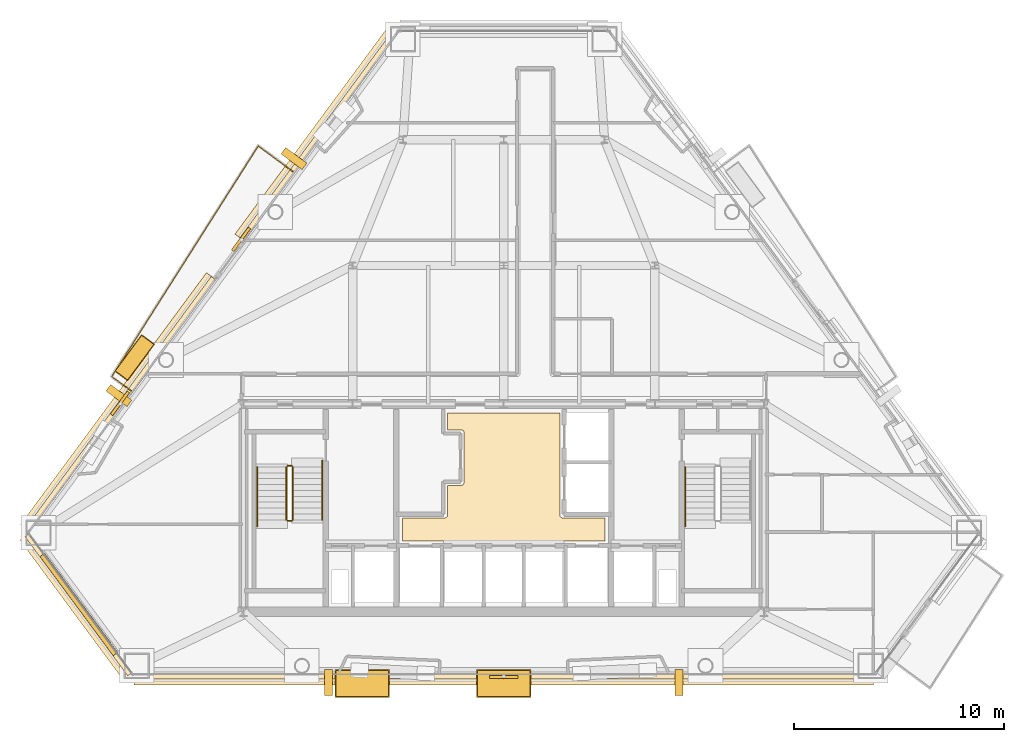
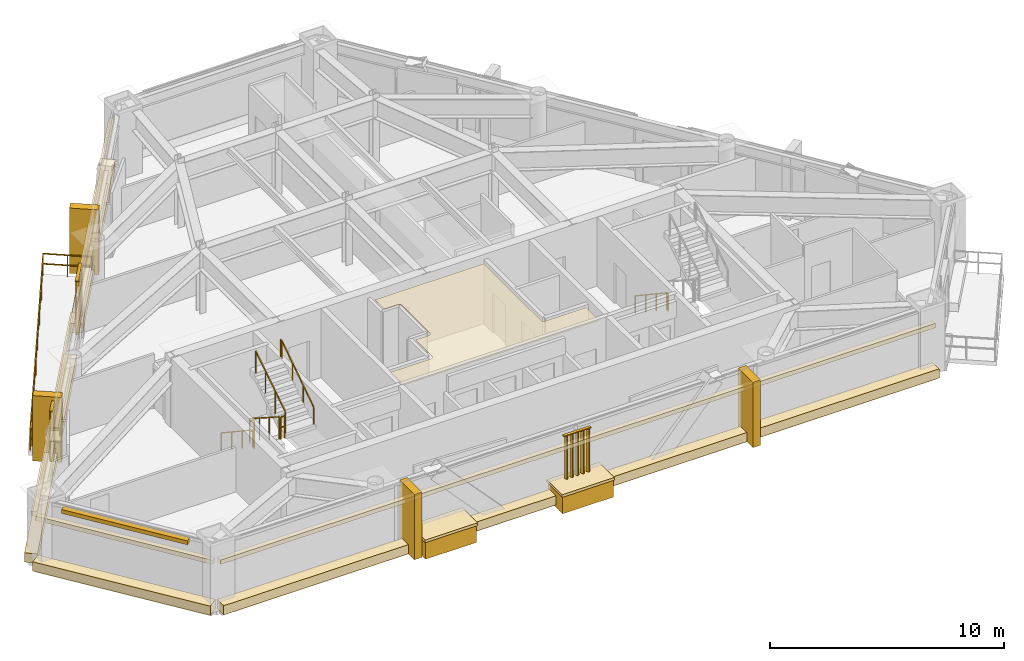
# One storey, part 10 of 11: 19 coverings, 8 railings, 4 shading devices.
"""IFC4 building model written with IfcOpenShell, lengths in metres."""

from ifc_helpers import new_model, si_unit, direction, frame, origin, origin_2d, place, context, subcontext, project, spatial, polyline, rectangle, outline, extrude, source, transform, mapped, material, layer, layer_set, type_object, type_shapes, element, save


model = new_model("IFC4")

# Units and contexts
model_context = context("Model", 3, precision=1e-05, world=origin(), true_north=direction((0.0, 1.0)))
body_context = subcontext(model_context, "Body", "Model", "MODEL_VIEW")
ifc_project = project(units=[si_unit("LENGTHUNIT", "METRE"), si_unit("AREAUNIT", "SQUARE_METRE"), si_unit("VOLUMEUNIT", "CUBIC_METRE"), si_unit("PLANEANGLEUNIT", "RADIAN"), si_unit("MASSUNIT", "GRAM", prefix="KILO")], contexts=[model_context])

# Site, building, storey
site_placement = place(None, origin())
site = spatial("IfcSite", under=ifc_project, at=site_placement, CompositionType="ELEMENT")
building_placement = place(site_placement, origin())
building = spatial("IfcBuilding", under=site, at=building_placement, Name="Talgorran Terracotta Tower", CompositionType="ELEMENT")
storey_placement = place(building_placement, frame((0.0, 0.0, 154.5)))
storey = spatial("IfcBuildingStorey", under=building, at=storey_placement, Name="L40", CompositionType="ELEMENT", Elevation=154.5)

# Coverings
ifc_material_1 = material(Name="Kiln-Fired Terracotta Ochre Ceramic", Category="masonry")
ifc_layer_1 = layer(ifc_material_1, 0.179931640625, Name="COV_BAGUETTE_TERRACOTTA_SCREEN")
ifc_layer_set_1 = layer_set([ifc_layer_1], Name="Kiln-Fired Terracotta Ochre Ceramic")
covering_type_1 = type_object("IfcCoveringType", Name="COV_BAGUETTE_TERRACOTTA_SCREEN", PredefinedType="CLADDING", material=ifc_layer_set_1)
covering_1_placement = place(storey_placement, frame((-20.255859375, -13.76220703125, 2.41015625), z_axis=(0.0, 0.0, 1.0), x_axis=(0.594078945078, -0.804406742274, 0.0)))
element("IfcCovering", 1, at=covering_1_placement, inside=storey, type_object=covering_type_1, Name="L40 Terracotta Baguette Solar Screen Assembly F0", PredefinedType="CLADDING", context=body_context, shape_type="SweptSolid", body=[
    extrude(rectangle(XDim=8.242919921875, YDim=0.260009765625, at=origin_2d()), origin(), (0.0, 0.0, 1.0), 0.219970703125),
])
covering_2_placement = place(storey_placement, frame((0.0, -17.17431640625, 2.41015625), z_axis=(0.0, 0.0, 1.0), x_axis=(1.0, 0.0, 0.0)))
element("IfcCovering", 2, at=covering_2_placement, inside=storey, type_object=covering_type_1, Name="L40 Terracotta Baguette Solar Screen Assembly F1", PredefinedType="CLADDING", context=body_context, shape_type="SweptSolid", body=[
    extrude(rectangle(XDim=35.230712890625, YDim=0.260009765625, at=origin_2d()), origin(), (0.0, 0.0, 1.0), 0.219970703125),
])
covering_3_placement = place(storey_placement, frame((-8.80810546875, 8.600830078125, 2.41015625), z_axis=(0.0, 0.0, 1.0), x_axis=(-0.594078945078, -0.804406742274, 0.0)))
element("IfcCovering", 3, at=covering_3_placement, inside=storey, type_object=covering_type_1, Name="L40 Terracotta Baguette Solar Screen Assembly F60", PredefinedType="CLADDING", context=body_context, shape_type="SweptSolid", body=[
    extrude(rectangle(XDim=12.30224609375, YDim=0.260009765625, at=origin_2d()), origin(), (0.0, 0.0, 1.0), 0.219970703125),
])
covering_4_placement = place(storey_placement, frame((-18.254638671875, -4.190185546875, 2.41015625), z_axis=(0.0, 0.0, 1.0), x_axis=(-0.594078945078, -0.804406742274, 0.0)))
element("IfcCovering", 4, at=covering_4_placement, inside=storey, type_object=covering_type_1, Name="L40 Terracotta Baguette Solar Screen Assembly F61", PredefinedType="CLADDING", context=body_context, shape_type="SweptSolid", body=[
    extrude(rectangle(XDim=14.900146484375, YDim=0.260009765625, at=origin_2d()), origin(), (0.0, 0.0, 1.0), 0.219970703125),
])
ifc_material_2 = material(Name="Flush Moisture-Resistant Plaster")
ifc_layer_2 = layer(ifc_material_2, 0.01806640625, Name="COV_CEIL_PLASTER")
ifc_layer_set_2 = layer_set([ifc_layer_2], Name="Flush Moisture-Resistant Plaster")
covering_type_2 = type_object("IfcCoveringType", Name="COV_CEIL_PLASTER", PredefinedType="CEILING", material=ifc_layer_set_2)
covering_5_placement = place(storey_placement, frame((0.0, 0.0, 3.260009765625)))
element("IfcCovering", 5, at=covering_5_placement, inside=storey, type_object=covering_type_2, Name="CEIL-L40-1", PredefinedType="CEILING", context=body_context, shape_type="SweptSolid", body=[
    extrude(outline(polyline([(2.679931640625, -4.6201171875), (2.679931640625, -9.5), (2.6806640625, -9.51171875), (2.682373046875, -9.5234375), (2.685302734375, -9.534912109375), (2.689208984375, -9.5458984375), (2.694091796875, -9.556640625), (2.7001953125, -9.566650390625), (2.707275390625, -9.576171875), (2.715087890625, -9.5849609375), (2.723876953125, -9.5927734375), (2.7333984375, -9.599853515625), (2.743408203125, -9.605712890625), (2.754150390625, -9.61083984375), (2.76513671875, -9.61474609375), (2.776611328125, -9.61767578125), (2.7880859375, -9.619384765625), (2.800048828125, -9.6201171875), (4.830078125, -9.6201171875), (4.830078125, -10.72998046875), (-4.830078125, -10.72998046875), (-4.830078125, -9.6201171875), (-2.800048828125, -9.6201171875), (-2.7880859375, -9.619384765625), (-2.776611328125, -9.61767578125), (-2.76513671875, -9.61474609375), (-2.754150390625, -9.61083984375), (-2.743408203125, -9.605712890625), (-2.7333984375, -9.599853515625), (-2.723876953125, -9.5927734375), (-2.715087890625, -9.5849609375), (-2.707275390625, -9.576171875), (-2.7001953125, -9.566650390625), (-2.694091796875, -9.556640625), (-2.689208984375, -9.5458984375), (-2.685302734375, -9.534912109375), (-2.682373046875, -9.5234375), (-2.6806640625, -9.51171875), (-2.679931640625, -9.5), (-2.679931640625, -8.070068359375), (-2.02001953125, -8.070068359375), (-2.00830078125, -8.0693359375), (-1.99658203125, -8.067626953125), (-1.985107421875, -8.064697265625), (-1.97412109375, -8.060791015625), (-1.96337890625, -8.055908203125), (-1.953369140625, -8.0498046875), (-1.94384765625, -8.042724609375), (-1.93505859375, -8.034912109375), (-1.92724609375, -8.026123046875), (-1.920166015625, -8.0166015625), (-1.914306640625, -8.006591796875), (-1.9091796875, -7.995849609375), (-1.9052734375, -7.98486328125), (-1.90234375, -7.973388671875), (-1.900634765625, -7.9619140625), (-1.89990234375, -7.949951171875), (-1.89990234375, -5.550048828125), (-1.900634765625, -5.5380859375), (-1.90234375, -5.526611328125), (-1.9052734375, -5.51513671875), (-1.9091796875, -5.504150390625), (-1.914306640625, -5.493408203125), (-1.920166015625, -5.4833984375), (-1.92724609375, -5.473876953125), (-1.93505859375, -5.465087890625), (-1.94384765625, -5.457275390625), (-1.953369140625, -5.4501953125), (-1.96337890625, -5.444091796875), (-1.97412109375, -5.439208984375), (-1.985107421875, -5.435302734375), (-1.99658203125, -5.432373046875), (-2.00830078125, -5.4306640625), (-2.02001953125, -5.429931640625), (-2.679931640625, -5.429931640625), (-2.679931640625, -4.6201171875), (2.679931640625, -4.6201171875)])), origin(), (0.0, 0.0, 1.0), 0.02001953125),
])
ifc_material_3 = material(Name="Honed Limestone and Terracotta Planter", Category="masonry")
ifc_layer_3 = layer(ifc_material_3, 0.1201171875, Name="COV_PLANTER_BOX")
ifc_layer_set_3 = layer_set([ifc_layer_3], Name="Honed Limestone and Terracotta Planter")
covering_type_3 = type_object("IfcCoveringType", Name="COV_PLANTER_BOX", PredefinedType="CLADDING", material=ifc_layer_set_3)
for number, where, z_axis, x_axis, name in (
    (6, (-6.743408203125, -17.514404296875, -0.179931640625), (0.0, 0.0, 1.0), (1.0, 0.0, 0.0), "L40 Staggered South Facade Planter Box 1"),
    (7, (0.0, -17.514404296875, -0.179931640625), (0.0, 0.0, 1.0), (1.0, 0.0, 0.0), "L40 Staggered South Facade Planter Box 2"),
):
    element("IfcCovering", number, at=place(storey_placement, frame(where, z_axis=z_axis, x_axis=x_axis)), inside=storey, type_object=covering_type_3, Name=name, PredefinedType="CLADDING", context=body_context, shape_type="SweptSolid", body=[
        extrude(rectangle(XDim=2.5, YDim=1.25, at=origin_2d()), origin(), (0.0, 0.0, 1.0), 0.919921875),
    ])
covering_6_placement = place(storey_placement, frame((-17.587646484375, -1.9912109375, -0.02001953125), z_axis=(0.0, 0.0, 1.0), x_axis=(-0.594078945078, -0.804406742274, 0.0)))
element("IfcCovering", 8, at=covering_6_placement, inside=storey, type_object=covering_type_3, Name="L40 Staggered Balcony Planter Box BAL-NW", PredefinedType="CLADDING", context=body_context, shape_type="SweptSolid", body=[
    extrude(rectangle(XDim=2.10009765625, YDim=0.719970703125, at=origin_2d()), origin(), (0.0, 0.0, 1.0), 0.860107421875),
])
ifc_material_4 = material(Name="Kiln-Fired Terracotta Planter Rim", Category="masonry")
ifc_layer_4 = layer(ifc_material_4, 0.10009765625, Name="COV_PLANTER_RIM")
ifc_layer_set_4 = layer_set([ifc_layer_4], Name="Kiln-Fired Terracotta Planter Rim")
covering_type_4 = type_object("IfcCoveringType", Name="COV_PLANTER_RIM", PredefinedType="CLADDING", material=ifc_layer_set_4)
for number, where, z_axis, x_axis, name in (
    (9, (-6.743408203125, -17.514404296875, 0.7099609375), (0.0, 0.0, 1.0), (1.0, 0.0, 0.0), "L40 South Planter Terracotta Rim 1"),
    (10, (0.0, -17.514404296875, 0.7099609375), (0.0, 0.0, 1.0), (1.0, 0.0, 0.0), "L40 South Planter Terracotta Rim 2"),
):
    element("IfcCovering", number, at=place(storey_placement, frame(where, z_axis=z_axis, x_axis=x_axis)), inside=storey, type_object=covering_type_4, Name=name, PredefinedType="CLADDING", context=body_context, shape_type="SweptSolid", body=[
        extrude(rectangle(XDim=2.580078125, YDim=1.320068359375, at=origin_2d()), origin(), (0.0, 0.0, 1.0), 0.139892578125),
    ])
covering_7_placement = place(storey_placement, frame((-17.587646484375, -1.9912109375, 0.800048828125), z_axis=(0.0, 0.0, 1.0), x_axis=(-0.594078945078, -0.804406742274, 0.0)))
element("IfcCovering", 11, at=covering_7_placement, inside=storey, type_object=covering_type_4, Name="L40 Balcony Planter Terracotta Rim BAL-NW", PredefinedType="CLADDING", context=body_context, shape_type="SweptSolid", body=[
    extrude(rectangle(XDim=2.179931640625, YDim=0.780029296875, at=origin_2d()), origin(), (0.0, 0.0, 1.0), 0.1201171875),
])
ifc_material_5 = material(Name="Honed Limestone Cladding", Category="masonry")
ifc_layer_5 = layer(ifc_material_5, 0.094970703125, Name="COV_PORTAL_LIME")
ifc_layer_set_5 = layer_set([ifc_layer_5], Name="Honed Limestone Cladding")
covering_type_5 = type_object("IfcCoveringType", Name="COV_PORTAL_LIME", PredefinedType="CLADDING", material=ifc_layer_set_5)
covering_8_placement = place(storey_placement, frame((-20.368408203125, -13.845458984375, -0.0400390625), z_axis=(0.0, 0.0, 1.0), x_axis=(0.594078945078, -0.804406742274, 0.0)))
element("IfcCovering", 12, at=covering_8_placement, inside=storey, type_object=covering_type_5, Name="L40 Striped Postmodern Portal Cladding Band F0", PredefinedType="CLADDING", context=body_context, shape_type="SweptSolid", body=[
    extrude(rectangle(XDim=8.2626953125, YDim=0.56005859375, at=origin_2d()), origin(), (0.0, 0.0, 1.0), 0.47998046875),
])
covering_9_placement = place(storey_placement, frame((0.0, -17.314453125, -0.0400390625), z_axis=(0.0, 0.0, 1.0), x_axis=(1.0, 0.0, 0.0)))
element("IfcCovering", 13, at=covering_9_placement, inside=storey, type_object=covering_type_5, Name="L40 Striped Postmodern Portal Cladding Band F1", PredefinedType="CLADDING", context=body_context, shape_type="SweptSolid", body=[
    extrude(rectangle(XDim=35.250732421875, YDim=0.56005859375, at=origin_2d()), origin(), (0.0, 0.0, 1.0), 0.47998046875),
])
covering_10_placement = place(storey_placement, frame((-8.920654296875, 8.683837890625, -0.0400390625), z_axis=(0.0, 0.0, 1.0), x_axis=(-0.594078945078, -0.804406742274, 0.0)))
element("IfcCovering", 14, at=covering_10_placement, inside=storey, type_object=covering_type_5, Name="L40 Striped Postmodern Portal Cladding Band F60", PredefinedType="CLADDING", context=body_context, shape_type="SweptSolid", body=[
    extrude(rectangle(XDim=12.322265625, YDim=0.56005859375, at=origin_2d()), origin(), (0.0, 0.0, 1.0), 0.47998046875),
])
covering_11_placement = place(storey_placement, frame((-18.3671875, -4.107177734375, -0.0400390625), z_axis=(0.0, 0.0, 1.0), x_axis=(-0.594078945078, -0.804406742274, 0.0)))
element("IfcCovering", 15, at=covering_11_placement, inside=storey, type_object=covering_type_5, Name="L40 Striped Postmodern Portal Cladding Band F61", PredefinedType="CLADDING", context=body_context, shape_type="SweptSolid", body=[
    extrude(rectangle(XDim=14.920166015625, YDim=0.56005859375, at=origin_2d()), origin(), (0.0, 0.0, 1.0), 0.47998046875),
])
for number, where, z_axis, x_axis, name in (
    (16, (8.340576171875, -17.474365234375, -0.050048828125), (0.0, 0.0, 1.0), (1.0, 0.0, 0.0), "L40 White Striped Portal Fin F1-2"),
    (17, (-18.337158203125, -3.797119140625, -0.050048828125), (0.0, 0.0, 1.0), (-0.594078945078, -0.804406742274, 0.0), "L40 White Striped Portal Fin F5-2"),
):
    element("IfcCovering", number, at=place(storey_placement, frame(where, z_axis=z_axis, x_axis=x_axis)), inside=storey, type_object=covering_type_5, Name=name, PredefinedType="CLADDING", context=body_context, shape_type="SweptSolid", body=[
        extrude(rectangle(XDim=0.3798828125, YDim=1.25, at=origin_2d()), origin(), (0.0, 0.0, 1.0), 3.39990234375),
    ])
ifc_material_6 = material(Name="Kiln-Fired Terracotta Cladding", Category="masonry")
ifc_layer_6 = layer(ifc_material_6, 0.090087890625, Name="COV_PORTAL_TERRA")
ifc_layer_set_6 = layer_set([ifc_layer_6], Name="Kiln-Fired Terracotta Cladding")
covering_type_6 = type_object("IfcCoveringType", Name="COV_PORTAL_TERRA", PredefinedType="CLADDING", material=ifc_layer_set_6)
for number, where, z_axis, x_axis, name in (
    (18, (-8.340576171875, -17.474365234375, -0.050048828125), (0.0, 0.0, 1.0), (1.0, 0.0, 0.0), "L40 Terracotta Striped Portal Fin F1-1"),
    (19, (-9.99658203125, 7.49658203125, -0.050048828125), (0.0, 0.0, 1.0), (-0.594078945078, -0.804406742274, 0.0), "L40 Terracotta Striped Portal Fin F5-1"),
):
    element("IfcCovering", number, at=place(storey_placement, frame(where, z_axis=z_axis, x_axis=x_axis)), inside=storey, type_object=covering_type_6, Name=name, PredefinedType="CLADDING", context=body_context, shape_type="SweptSolid", body=[
        extrude(rectangle(XDim=0.3798828125, YDim=1.25, at=origin_2d()), origin(), (0.0, 0.0, 1.0), 3.39990234375),
    ])

# Railings
ifc_material_7 = material(Name="Laminated Glass and Stainless Steel 316", Category="steel")
railing_type_1 = type_object("IfcRailingType", Name="RL_BALCONY_1150", PredefinedType="BALUSTRADE", material=ifc_material_7)
railing_1_placement = place(storey_placement, frame((-10.004638671875, 6.845947265625, 0.0)))
element("IfcRailing", 20, at=railing_1_placement, inside=storey, type_object=railing_type_1, Name="RL-L40-BAL-BAL-NW", PredefinedType="BALUSTRADE", context=body_context, shape_type="SweptSolid", body=[
    extrude(rectangle(XDim=0.048095703125, YDim=0.048095703125, at=origin_2d()), frame((0.0, 0.0, 1.1259765625), z_axis=(-0.804381194966, 0.594113535601, 0.0), x_axis=(-0.594113535601, -0.804381194966, 0.0)), (0.0, 0.0, 1.0), 2.102783203125),
    extrude(rectangle(XDim=0.048095703125, YDim=0.048095703125, at=origin_2d()), frame((0.0, 0.0, 0.597900390625), z_axis=(-0.804381194966, 0.594113535601, 0.0), x_axis=(-0.594113535601, -0.804381194966, 0.0)), (0.0, 0.0, 1.0), 2.102783203125),
    extrude(rectangle(XDim=0.048095703125, YDim=0.048095703125, at=origin_2d()), frame((-1.69140625, 1.249267578125, 1.1259765625), z_axis=(-0.536023202256, -0.844203249605, 0.0), x_axis=(0.844203249605, -0.536023202256, 0.0)), (0.0, 0.0, 1.0), 13.015869140625),
    extrude(rectangle(XDim=0.048095703125, YDim=0.048095703125, at=origin_2d()), frame((-1.69140625, 1.249267578125, 0.597900390625), z_axis=(-0.536023202256, -0.844203249605, 0.0), x_axis=(0.844203249605, -0.536023202256, 0.0)), (0.0, 0.0, 1.0), 13.015869140625),
    extrude(rectangle(XDim=0.048095703125, YDim=0.048095703125, at=origin_2d()), frame((-8.668212890625, -9.73876953125, 1.1259765625), z_axis=(0.804419661049, -0.59406145214, 0.0), x_axis=(0.59406145214, 0.804419661049, 0.0)), (0.0, 0.0, 1.0), 1.187255859375),
    extrude(rectangle(XDim=0.048095703125, YDim=0.048095703125, at=origin_2d()), frame((-8.668212890625, -9.73876953125, 0.597900390625), z_axis=(0.804419661049, -0.59406145214, 0.0), x_axis=(0.59406145214, 0.804419661049, 0.0)), (0.0, 0.0, 1.0), 1.187255859375),
    extrude(rectangle(XDim=0.0419921875, YDim=0.0419921875, at=origin_2d()), origin(), (0.0, 0.0, 1.0), 1.101806640625),
    extrude(rectangle(XDim=0.0419921875, YDim=0.0419921875, at=origin_2d()), frame((-0.845703125, 0.62451171875, 0.0)), (0.0, 0.0, 1.0), 1.101806640625),
    extrude(rectangle(XDim=0.0419921875, YDim=0.0419921875, at=origin_2d()), frame((-1.69140625, 1.249267578125, 0.0)), (0.0, 0.0, 1.0), 1.101806640625),
    extrude(rectangle(XDim=0.0419921875, YDim=0.0419921875, at=origin_2d()), frame((-2.68798828125, -0.320556640625, 0.0)), (0.0, 0.0, 1.0), 1.101806640625),
    extrude(rectangle(XDim=0.0419921875, YDim=0.0419921875, at=origin_2d()), frame((-3.684814453125, -1.89013671875, 0.0)), (0.0, 0.0, 1.0), 1.101806640625),
    extrude(rectangle(XDim=0.0419921875, YDim=0.0419921875, at=origin_2d()), frame((-4.681396484375, -3.4599609375, 0.0)), (0.0, 0.0, 1.0), 1.101806640625),
    extrude(rectangle(XDim=0.0419921875, YDim=0.0419921875, at=origin_2d()), frame((-5.67822265625, -5.029541015625, 0.0)), (0.0, 0.0, 1.0), 1.101806640625),
    extrude(rectangle(XDim=0.0419921875, YDim=0.0419921875, at=origin_2d()), frame((-6.6748046875, -6.599365234375, 0.0)), (0.0, 0.0, 1.0), 1.101806640625),
    extrude(rectangle(XDim=0.0419921875, YDim=0.0419921875, at=origin_2d()), frame((-7.671630859375, -8.1689453125, 0.0)), (0.0, 0.0, 1.0), 1.101806640625),
    extrude(rectangle(XDim=0.0419921875, YDim=0.0419921875, at=origin_2d()), frame((-8.668212890625, -9.73876953125, 0.0)), (0.0, 0.0, 1.0), 1.101806640625),
    extrude(rectangle(XDim=0.0419921875, YDim=0.0419921875, at=origin_2d()), frame((-7.713134765625, -10.444091796875, 0.0)), (0.0, 0.0, 1.0), 1.101806640625),
])
ifc_material_8 = material(Name="Steel S355 (300PLUS)", Category="steel")
railing_type_2 = type_object("IfcRailingType", Name="RL_HANDRAIL_920", PredefinedType="HANDRAIL", material=ifc_material_8)
railing_2_placement = place(storey_placement, frame((-11.75, -7.199951171875, 0.179931640625)))
element("IfcRailing", 21, at=railing_2_placement, inside=storey, type_object=railing_type_2, Name="L40 ST-01 stair handrail 1", PredefinedType="HANDRAIL", context=body_context, shape_type="SweptSolid", body=[
    extrude(rectangle(XDim=0.048095703125, YDim=0.048095703125, at=origin_2d()), frame((0.0, 0.0, 0.89599609375), z_axis=(0.0, -0.832038719335, 0.554717558338), x_axis=(1.0, 0.0, 0.0)), (0.0, 0.0, 1.0), 3.244873046875),
    extrude(rectangle(XDim=0.048095703125, YDim=0.048095703125, at=origin_2d()), frame((0.0, -2.699951171875, 2.69580078125), z_axis=(0.0, -1.0, 0.0), x_axis=(1.0, 0.0, 0.0)), (0.0, 0.0, 1.0), 0.1201171875),
    extrude(rectangle(XDim=0.0419921875, YDim=0.0419921875, at=origin_2d()), origin(), (0.0, 0.0, 1.0), 0.871826171875),
    extrude(rectangle(XDim=0.0419921875, YDim=0.0419921875, at=origin_2d()), frame((0.0, -0.89990234375, 0.60009765625)), (0.0, 0.0, 1.0), 0.871826171875),
    extrude(rectangle(XDim=0.0419921875, YDim=0.0419921875, at=origin_2d()), frame((0.0, -1.800048828125, 1.199951171875)), (0.0, 0.0, 1.0), 0.871826171875),
    extrude(rectangle(XDim=0.0419921875, YDim=0.0419921875, at=origin_2d()), frame((0.0, -2.699951171875, 1.800048828125)), (0.0, 0.0, 1.0), 0.871826171875),
    extrude(rectangle(XDim=0.0419921875, YDim=0.0419921875, at=origin_2d()), frame((0.0, -2.820068359375, 1.800048828125)), (0.0, 0.0, 1.0), 0.871826171875),
])
railing_3_placement = place(storey_placement, frame((-8.64990234375, -9.719970703125, 1.97998046875)))
element("IfcRailing", 22, at=railing_3_placement, inside=storey, type_object=railing_type_2, Name="L40 ST-01 stair handrail 2", PredefinedType="HANDRAIL", context=body_context, shape_type="SweptSolid", body=[
    extrude(rectangle(XDim=0.048095703125, YDim=0.048095703125, at=origin_2d()), frame((0.0, 0.0, 0.89599609375), z_axis=(0.0, 0.832038719335, 0.554717558338), x_axis=(-1.0, 0.0, 0.0)), (0.0, 0.0, 1.0), 3.244873046875),
    extrude(rectangle(XDim=0.048095703125, YDim=0.048095703125, at=origin_2d()), frame((0.0, 2.699951171875, 2.69580078125), z_axis=(0.0, 1.0, 0.0), x_axis=(-1.0, 0.0, 0.0)), (0.0, 0.0, 1.0), 0.1201171875),
    extrude(rectangle(XDim=0.0419921875, YDim=0.0419921875, at=origin_2d()), origin(), (0.0, 0.0, 1.0), 0.871826171875),
    extrude(rectangle(XDim=0.0419921875, YDim=0.0419921875, at=origin_2d()), frame((0.0, 0.89990234375, 0.60009765625)), (0.0, 0.0, 1.0), 0.871826171875),
    extrude(rectangle(XDim=0.0419921875, YDim=0.0419921875, at=origin_2d()), frame((0.0, 1.800048828125, 1.199951171875)), (0.0, 0.0, 1.0), 0.871826171875),
    extrude(rectangle(XDim=0.0419921875, YDim=0.0419921875, at=origin_2d()), frame((0.0, 2.699951171875, 1.800048828125)), (0.0, 0.0, 1.0), 0.871826171875),
    extrude(rectangle(XDim=0.0419921875, YDim=0.0419921875, at=origin_2d()), frame((0.0, 2.820068359375, 1.800048828125)), (0.0, 0.0, 1.0), 0.871826171875),
])
railing_4_placement = place(storey_placement, frame((8.64990234375, -7.199951171875, 0.179931640625)))
element("IfcRailing", 23, at=railing_4_placement, inside=storey, type_object=railing_type_2, Name="L40 ST-02 stair handrail 1", PredefinedType="HANDRAIL", context=body_context, shape_type="SweptSolid", body=[
    extrude(rectangle(XDim=0.048095703125, YDim=0.048095703125, at=origin_2d()), frame((0.0, 0.0, 0.89599609375), z_axis=(0.0, -0.832038719335, 0.554717558338), x_axis=(1.0, 0.0, 0.0)), (0.0, 0.0, 1.0), 3.244873046875),
    extrude(rectangle(XDim=0.048095703125, YDim=0.048095703125, at=origin_2d()), frame((0.0, -2.699951171875, 2.69580078125), z_axis=(0.0, -1.0, 0.0), x_axis=(1.0, 0.0, 0.0)), (0.0, 0.0, 1.0), 0.1201171875),
    extrude(rectangle(XDim=0.0419921875, YDim=0.0419921875, at=origin_2d()), origin(), (0.0, 0.0, 1.0), 0.871826171875),
    extrude(rectangle(XDim=0.0419921875, YDim=0.0419921875, at=origin_2d()), frame((0.0, -0.89990234375, 0.60009765625)), (0.0, 0.0, 1.0), 0.871826171875),
    extrude(rectangle(XDim=0.0419921875, YDim=0.0419921875, at=origin_2d()), frame((0.0, -1.800048828125, 1.199951171875)), (0.0, 0.0, 1.0), 0.871826171875),
    extrude(rectangle(XDim=0.0419921875, YDim=0.0419921875, at=origin_2d()), frame((0.0, -2.699951171875, 1.800048828125)), (0.0, 0.0, 1.0), 0.871826171875),
    extrude(rectangle(XDim=0.0419921875, YDim=0.0419921875, at=origin_2d()), frame((0.0, -2.820068359375, 1.800048828125)), (0.0, 0.0, 1.0), 0.871826171875),
])
railing_type_3 = type_object("IfcRailingType", Name="RL_STAIR_GUARD", PredefinedType="GUARDRAIL", material=ifc_material_8)
railing_5_placement = place(storey_placement, frame((-10.35009765625, -7.199951171875, 0.179931640625)))
element("IfcRailing", 24, at=railing_5_placement, inside=storey, type_object=railing_type_3, Name="L40 ST-01 stair guard 1", PredefinedType="GUARDRAIL", context=body_context, shape_type="SweptSolid", body=[
    extrude(rectangle(XDim=0.048095703125, YDim=0.048095703125, at=origin_2d()), frame((0.0, 0.0, 1.15576171875), z_axis=(0.0, -0.841162588446, 0.540782303519), x_axis=(1.0, 0.0, 0.0)), (0.0, 0.0, 1.0), 2.995849609375),
    extrude(rectangle(XDim=0.0419921875, YDim=0.0419921875, at=origin_2d()), origin(), (0.0, 0.0, 1.0), 1.1318359375),
    extrude(rectangle(XDim=0.0419921875, YDim=0.0419921875, at=origin_2d()), frame((0.0, -0.840087890625, 0.5400390625)), (0.0, 0.0, 1.0), 1.1318359375),
    extrude(rectangle(XDim=0.0419921875, YDim=0.0419921875, at=origin_2d()), frame((0.0, -1.679931640625, 1.080078125)), (0.0, 0.0, 1.0), 1.1318359375),
    extrude(rectangle(XDim=0.0419921875, YDim=0.0419921875, at=origin_2d()), frame((0.0, -2.52001953125, 1.6201171875)), (0.0, 0.0, 1.0), 1.1318359375),
])
railing_6_placement = place(storey_placement, frame((-10.300048828125, -9.77001953125, 1.800048828125)))
element("IfcRailing", 25, at=railing_6_placement, inside=storey, type_object=railing_type_3, Name="L40 ST-01 stair guard 2", PredefinedType="GUARDRAIL", context=body_context, shape_type="SweptSolid", body=[
    extrude(rectangle(XDim=0.048095703125, YDim=0.048095703125, at=origin_2d()), frame((0.0, 0.0, 1.15576171875), z_axis=(1.0, 0.0, 0.0), x_axis=(0.0, 1.0, 0.0)), (0.0, 0.0, 1.0), 0.199951171875),
    extrude(rectangle(XDim=0.048095703125, YDim=0.048095703125, at=origin_2d()), frame((0.0, 0.0, 0.613525390625), z_axis=(1.0, 0.0, 0.0), x_axis=(0.0, 1.0, 0.0)), (0.0, 0.0, 1.0), 0.199951171875),
    extrude(rectangle(XDim=0.0419921875, YDim=0.0419921875, at=origin_2d()), origin(), (0.0, 0.0, 1.0), 1.1318359375),
    extrude(rectangle(XDim=0.0419921875, YDim=0.0419921875, at=origin_2d()), frame((0.199951171875, 0.0, 0.0)), (0.0, 0.0, 1.0), 1.1318359375),
])
railing_7_placement = place(storey_placement, frame((-10.050048828125, -9.719970703125, 1.97998046875)))
element("IfcRailing", 26, at=railing_7_placement, inside=storey, type_object=railing_type_3, Name="L40 ST-01 stair guard 3", PredefinedType="GUARDRAIL", context=body_context, shape_type="SweptSolid", body=[
    extrude(rectangle(XDim=0.048095703125, YDim=0.048095703125, at=origin_2d()), frame((0.0, 0.0, 1.15576171875), z_axis=(0.0, 0.841162588446, 0.540782303519), x_axis=(-1.0, 0.0, 0.0)), (0.0, 0.0, 1.0), 2.995849609375),
    extrude(rectangle(XDim=0.0419921875, YDim=0.0419921875, at=origin_2d()), origin(), (0.0, 0.0, 1.0), 1.1318359375),
    extrude(rectangle(XDim=0.0419921875, YDim=0.0419921875, at=origin_2d()), frame((0.0, 0.840087890625, 0.5400390625)), (0.0, 0.0, 1.0), 1.1318359375),
    extrude(rectangle(XDim=0.0419921875, YDim=0.0419921875, at=origin_2d()), frame((0.0, 1.679931640625, 1.080078125)), (0.0, 0.0, 1.0), 1.1318359375),
    extrude(rectangle(XDim=0.0419921875, YDim=0.0419921875, at=origin_2d()), frame((0.0, 2.52001953125, 1.6201171875)), (0.0, 0.0, 1.0), 1.1318359375),
])
railing_8_placement = place(storey_placement, frame((-10.300048828125, -7.14990234375, 0.0)))
element("IfcRailing", 27, at=railing_8_placement, inside=storey, type_object=railing_type_3, Name="L40 ST-01 stair guard 4", PredefinedType="GUARDRAIL", context=body_context, shape_type="SweptSolid", body=[
    extrude(rectangle(XDim=0.048095703125, YDim=0.048095703125, at=origin_2d()), frame((0.0, 0.0, 1.15576171875), z_axis=(1.0, 0.0, 0.0), x_axis=(0.0, 1.0, 0.0)), (0.0, 0.0, 1.0), 0.199951171875),
    extrude(rectangle(XDim=0.048095703125, YDim=0.048095703125, at=origin_2d()), frame((0.0, 0.0, 0.613525390625), z_axis=(1.0, 0.0, 0.0), x_axis=(0.0, 1.0, 0.0)), (0.0, 0.0, 1.0), 0.199951171875),
    extrude(rectangle(XDim=0.0419921875, YDim=0.0419921875, at=origin_2d()), origin(), (0.0, 0.0, 1.0), 1.1318359375),
    extrude(rectangle(XDim=0.0419921875, YDim=0.0419921875, at=origin_2d()), frame((0.199951171875, 0.0, 0.0)), (0.0, 0.0, 1.0), 1.1318359375),
])

# Shading devices
ifc_material_9 = material(Name="Kiln-Fired Terracotta", Category="masonry")
ifc_layer_7 = layer(ifc_material_9, 0.139892578125, Name="SHD_BAGUETTE_TERRA")
ifc_layer_set_7 = layer_set([ifc_layer_7], Name="Kiln-Fired Terracotta")
shading_device_type_1 = type_object("IfcShadingDeviceType", Name="SHD_BAGUETTE_TERRA", PredefinedType="JALOUSIE", material=ifc_layer_set_7)
shared_shape_1 = source(origin(), body_context, "Body", "SweptSolid", [
    extrude(rectangle(XDim=1.35009765625, YDim=0.139892578125, at=origin_2d()), origin(), (0.0, 0.0, 1.0), 0.054931640625),
    extrude(rectangle(XDim=1.35009765625, YDim=0.139892578125, at=origin_2d()), frame((0.0, 0.0, 2.7451171875)), (0.0, 0.0, 1.0), 0.054931640625),
    extrude(rectangle(XDim=0.074951171875, YDim=0.139892578125, at=origin_2d()), frame((-0.53515625, 0.0, 0.054931640625), z_axis=(0.0, 0.0, 1.0), x_axis=(0.866025403784, 0.5, 0.0)), (0.0, 0.0, 1.0), 2.690185546875),
    extrude(rectangle(XDim=0.074951171875, YDim=0.139892578125, at=origin_2d()), frame((-0.267578125, 0.0, 0.054931640625), z_axis=(0.0, 0.0, 1.0), x_axis=(0.866025403784, 0.5, 0.0)), (0.0, 0.0, 1.0), 2.690185546875),
    extrude(rectangle(XDim=0.074951171875, YDim=0.139892578125, at=origin_2d()), frame((0.0, 0.0, 0.054931640625), z_axis=(0.0, 0.0, 1.0), x_axis=(0.866025403784, 0.5, 0.0)), (0.0, 0.0, 1.0), 2.690185546875),
    extrude(rectangle(XDim=0.074951171875, YDim=0.139892578125, at=origin_2d()), frame((0.267578125, 0.0, 0.054931640625), z_axis=(0.0, 0.0, 1.0), x_axis=(0.866025403784, 0.5, 0.0)), (0.0, 0.0, 1.0), 2.690185546875),
    extrude(rectangle(XDim=0.074951171875, YDim=0.139892578125, at=origin_2d()), frame((0.53515625, 0.0, 0.054931640625), z_axis=(0.0, 0.0, 1.0), x_axis=(0.866025403784, 0.5, 0.0)), (0.0, 0.0, 1.0), 2.690185546875),
])
type_shapes(shading_device_type_1, [shared_shape_1])
for number, where, z_axis, x_axis, name in (
    (28, (0.0, -17.21435546875, 0.35009765625), (0.0, 0.0, 1.0), (1.0, 0.0, 0.0), "BAG-L40-F1"),
    (29, (-12.5166015625, 3.646240234375, 0.35009765625), (0.0, 0.0, 1.0), (-0.594078945078, -0.804406742274, 0.0), "BAG-L40-F60"),
    (30, (-18.286865234375, -4.16650390625, 0.35009765625), (0.0, 0.0, 1.0), (-0.594078945078, -0.804406742274, 0.0), "BAG-L40-F61"),
):
    element("IfcShadingDevice", number, at=place(storey_placement, frame(where, z_axis=z_axis, x_axis=x_axis)), inside=storey, type_object=shading_device_type_1, Name=name, PredefinedType="JALOUSIE", context=body_context, shape_type="MappedRepresentation", body=[
        mapped(shared_shape_1, transform((0.0, 0.0, 0.0), scale=1.0)),
    ])
ifc_layer_8 = layer(ifc_material_9, 0.280029296875, Name="SHD_SUNSHADE_TERRA")
ifc_layer_set_8 = layer_set([ifc_layer_8], Name="Kiln-Fired Terracotta")
shading_device_type_2 = type_object("IfcShadingDeviceType", Name="SHD_SUNSHADE_TERRA", PredefinedType="AWNING", material=ifc_layer_set_8)
shared_shape_2 = source(origin(), body_context, "Body", "SweptSolid", [
    extrude(rectangle(XDim=5.867919921875, YDim=0.280029296875, at=origin_2d()), origin(), (0.0, 0.0, 1.0), 0.199951171875),
])
type_shapes(shading_device_type_2, [shared_shape_2])
shading_device_placement = place(storey_placement, frame((-20.23974609375, -13.750244140625, 3.10986328125), z_axis=(0.0, 0.0, 1.0), x_axis=(0.594078945078, -0.804406742274, 0.0)))
element("IfcShadingDevice", 31, at=shading_device_placement, inside=storey, type_object=shading_device_type_2, Name="SHD-BROW-L40-F0", PredefinedType="AWNING", context=body_context, shape_type="MappedRepresentation", body=[
    mapped(shared_shape_2, transform((0.0, 0.0, 0.0), scale=1.0)),
])

save(model, "model.ifc")
